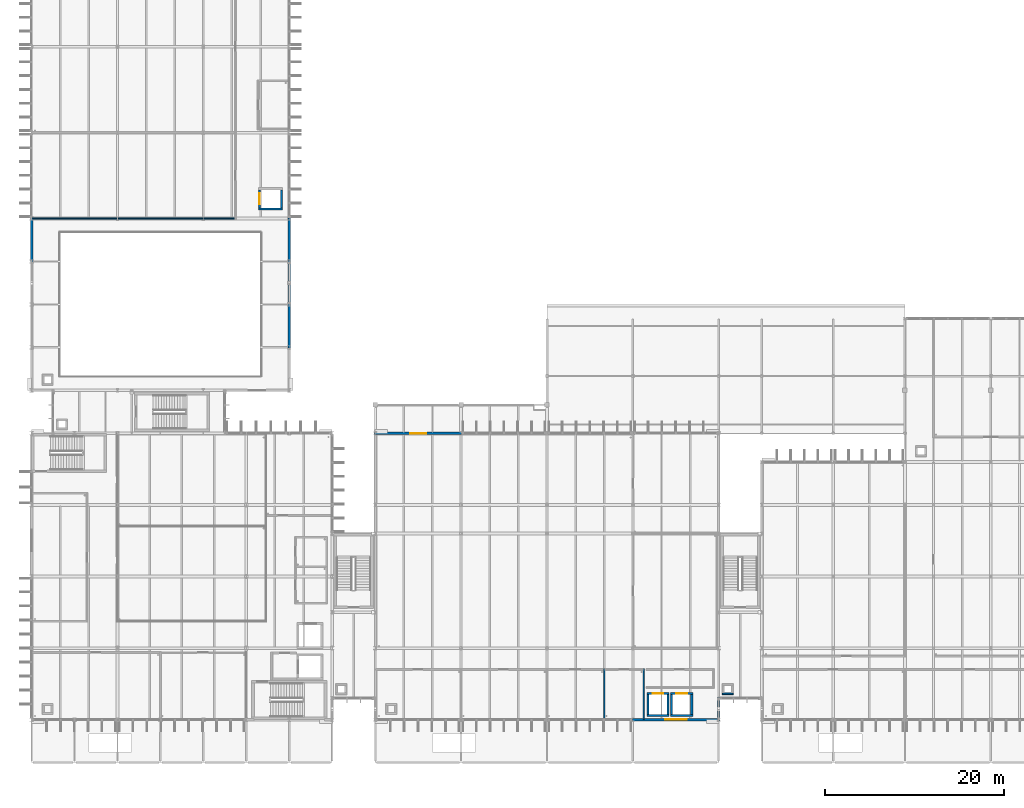
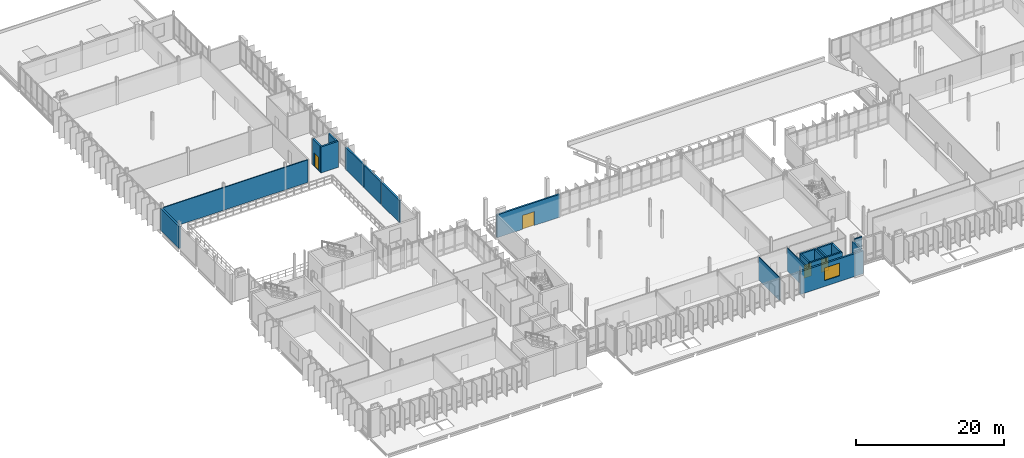
# One storey, part 62 of 107: 22 walls, 4 doors, 1 window, 5 openings.
"""IFC4 building model written with IfcOpenShell, lengths in metres."""

from ifc_helpers import new_model, si_unit, direction, frame, frame_2d, origin, place, context, subcontext, project, spatial, rectangle, extrude, material, layer, layer_set, type_object, element, fill, save


model = new_model("IFC4")

# Units and contexts
model_context = context("Model", 3, precision=1e-05, world=origin(), true_north=direction((0.0, 1.0)))
body_context = subcontext(model_context, "Body", "Model", "MODEL_VIEW")
ifc_project = project(units=[si_unit("LENGTHUNIT", "METRE"), si_unit("AREAUNIT", "SQUARE_METRE"), si_unit("VOLUMEUNIT", "CUBIC_METRE"), si_unit("PLANEANGLEUNIT", "RADIAN"), si_unit("MASSUNIT", "GRAM", prefix="KILO")], contexts=[model_context])

# Site, building, storey
site_placement = place(None, origin())
site = spatial("IfcSite", under=ifc_project, at=site_placement, CompositionType="ELEMENT")
building_placement = place(site_placement, origin())
building = spatial("IfcBuilding", under=site, at=building_placement, Name="Dunescarp Central Library", CompositionType="ELEMENT")
storey_placement = place(building_placement, frame((0.0, 0.0, 5.10009765625)))
storey = spatial("IfcBuildingStorey", under=building, at=storey_placement, Name="L01", CompositionType="ELEMENT", Elevation=5.10009765625)

# Walls
ifc_material_1 = material(Name="Gypsum plasterboard acoustic partition")
ifc_layer_1 = layer(ifc_material_1, 0.14990234375)
ifc_layer_set_1 = layer_set([ifc_layer_1], Name="Gypsum plasterboard acoustic partition")
wall_type_1 = type_object("IfcWallType", Name="ARC-PT-AC150", PredefinedType="PARTITIONING", material=ifc_layer_set_1)
wall_1_placement = place(storey_placement, frame((0.0400390625, 60.800048828125, 0.0), z_axis=(0.0, 0.0, 1.0), x_axis=(1.0, 0.0, 0.0)))
element("IfcWall", 1, at=wall_1_placement, inside=storey, type_object=wall_type_1, Name="L01 partition PT-L01-0342", PredefinedType="PARTITIONING", context=body_context, shape_type="SweptSolid", body=[
    extrude(rectangle(XDim=22.68505859375, YDim=0.14990234375, at=frame_2d((11.342529296875, 0.0))), origin(), (0.0, 0.0, 1.0), 3.73193359375),
])
ifc_material_2 = material(Name="Autoclaved aerated concrete block", Category="concrete")
ifc_layer_2 = layer(ifc_material_2, 0.139892578125)
ifc_layer_set_2 = layer_set([ifc_layer_2], Name="Autoclaved aerated concrete block")
wall_type_2 = type_object("IfcWallType", Name="ARC-PT-WET140", PredefinedType="PARTITIONING", material=ifc_layer_set_2)
for number, where, z_axis, x_axis, name in (
    (2, (64.0, 4.840087890625, 0.0), (0.0, 0.0, 1.0), (0.0, 1.0, 0.0), "L01 partition PT-L01-0164"),
    (3, (68.39990234375, 4.840087890625, 0.0), (0.0, 0.0, 1.0), (0.0, 1.0, 0.0), "L01 partition PT-L01-0165"),
):
    element("IfcWall", number, at=place(storey_placement, frame(where, z_axis=z_axis, x_axis=x_axis)), inside=storey, type_object=wall_type_2, Name=name, PredefinedType="PARTITIONING", context=body_context, shape_type="SweptSolid", body=[
        extrude(rectangle(XDim=5.6298828125, YDim=0.139892578125, at=frame_2d((2.81494140625, 0.0))), origin(), (0.0, 0.0, 1.0), 3.764892578125),
    ])

# Wall, opening, door
ifc_material_3 = material(Name="Glass-fibre reinforced concrete GRC", Category="concrete")
ifc_layer_3 = layer(ifc_material_3, 0.260009765625)
ifc_layer_set_3 = layer_set([ifc_layer_3], Name="Glass-fibre reinforced concrete GRC")
wall_type_3 = type_object("IfcWallType", Name="ARC-WL-GRC260", PredefinedType="SOLIDWALL", material=ifc_layer_set_3)
wall_2_placement = place(storey_placement, frame((38.31494140625, 36.800048828125, 0.0), z_axis=(0.0, 0.0, 1.0), x_axis=(1.0, 0.0, 0.0)))
wall_2 = element("IfcWall", 4, at=wall_2_placement, inside=storey, type_object=wall_type_3, Name="L01 external wall EW-V2-038", PredefinedType="SOLIDWALL", context=body_context, shape_type="SweptSolid", body=[
    extrude(rectangle(XDim=9.77001953125, YDim=0.260009765625, at=frame_2d((4.885009765625, 0.0))), origin(), (0.0, 0.0, 1.0), 3.764892578125),
])
opening_1_placement = place(wall_2_placement, frame((3.985107421875, 0.0, 0.0)))
opening_1 = element("IfcOpeningElement", 5, at=opening_1_placement, cuts=wall_2, Name="Opening TD-L01-V2N", PredefinedType="OPENING", context=body_context, shape_type="SweptSolid", body=[
    extrude(rectangle(XDim=1.800048828125, YDim=2.300048828125, at=frame_2d((0.89990234375, 1.14990234375))), frame((0.0, 0.14013671875, 0.0), z_axis=(0.0, -1.0, 0.0), x_axis=(1.0, 0.0, 0.0)), (0.0, 0.0, 1.0), 0.280029296875),
])
ifc_material_4 = material(Name="Marine-grade anodised aluminium 6063-T6", Category="aluminium")
door_type_1 = type_object("IfcDoorType", Name="ARC-DR-TER1800", OperationType="NOTDEFINED", PredefinedType="DOOR", material=ifc_material_4)
door_1_placement = place(opening_1_placement, origin())
door_1 = element("IfcDoor", 6, at=door_1_placement, inside=storey, type_object=door_type_1, Name="L01 external door TD-L01-V2N", OperationType="SINGLE_SWING_LEFT", OverallHeight=2.300048828125, OverallWidth=1.800048828125, PredefinedType="DOOR", context=body_context, shape_type="SweptSolid", body=[
    extrude(rectangle(XDim=1.800048828125, YDim=2.300048828125, at=frame_2d((0.89990234375, 1.14990234375))), frame((0.0, 0.02490234375, 0.0), z_axis=(0.0, -1.0, 0.0), x_axis=(1.0, 0.0, 0.0)), (0.0, 0.0, 1.0), 0.050048828125),
])
fill(opening_1, door_1)

# Wall
wall_3_placement = place(storey_placement, frame((76.800048828125, 7.284912109375, 0.0), z_axis=(0.0, 0.0, 1.0), x_axis=(0.0, -1.0, 0.0)))
element("IfcWall", 7, at=wall_3_placement, inside=storey, type_object=wall_type_3, Name="L01 external wall EW-V2-041", PredefinedType="SOLIDWALL", context=body_context, shape_type="SweptSolid", body=[
    extrude(rectangle(XDim=2.56982421875, YDim=0.260009765625, at=frame_2d((1.284912109375, 0.0))), origin(), (0.0, 0.0, 1.0), 3.764892578125),
])

# Wall, opening, window
ifc_layer_4 = layer(ifc_material_3, 0.280029296875)
ifc_layer_set_4 = layer_set([ifc_layer_4], Name="Glass-fibre reinforced concrete GRC")
wall_type_4 = type_object("IfcWallType", Name="ARC-WL-GRC280", PredefinedType="SOLIDWALL", material=ifc_layer_set_4)
wall_4_placement = place(storey_placement, frame((76.885009765625, 4.800048828125, 0.0), z_axis=(0.0, 0.0, 1.0), x_axis=(-1.0, 0.0, 0.0)))
wall_4 = element("IfcWall", 8, at=wall_4_placement, inside=storey, type_object=wall_type_4, Name="L01 external wall EW-V2-037", PredefinedType="SOLIDWALL", context=body_context, shape_type="SweptSolid", body=[
    extrude(rectangle(XDim=9.77001953125, YDim=0.280029296875, at=frame_2d((4.885009765625, 0.0))), origin(), (0.0, 0.0, 1.0), 3.764892578125),
])
opening_2_placement = place(wall_4_placement, frame((3.68505859375, 0.0, 0.949951171875)))
opening_2 = element("IfcOpeningElement", 9, at=opening_2_placement, cuts=wall_4, Name="Opening WN-009", PredefinedType="OPENING", context=body_context, shape_type="SweptSolid", body=[
    extrude(rectangle(XDim=2.39990234375, YDim=2.10009765625, at=frame_2d((1.199951171875, 1.050048828125))), frame((0.0, 0.14990234375, 0.0), z_axis=(0.0, -1.0, 0.0), x_axis=(1.0, 0.0, 0.0)), (0.0, 0.0, 1.0), 0.300048828125),
])
ifc_material_5 = material(Name="Solar-control laminated double glazing", Category="glass")
window_type = type_object("IfcWindowType", Name="ARC-WN-2400X2100", PartitioningType="SINGLE_PANEL", PredefinedType="WINDOW", material=ifc_material_5)
window_placement = place(opening_2_placement, origin())
window = element("IfcWindow", 10, at=window_placement, inside=storey, type_object=window_type, Name="L01 window WN-009", OverallHeight=2.10009765625, OverallWidth=2.39990234375, PartitioningType="SINGLE_PANEL", PredefinedType="WINDOW", context=body_context, shape_type="SweptSolid", body=[
    extrude(rectangle(XDim=2.39990234375, YDim=2.10009765625, at=frame_2d((1.199951171875, 1.050048828125))), frame((0.0, 0.030029296875, 0.0), z_axis=(0.0, -1.0, 0.0), x_axis=(1.0, 0.0, 0.0)), (0.0, 0.0, 1.0), 0.06005859375),
])
fill(opening_2, window)

# Walls
for number, where, z_axis, x_axis, name in (
    (11, (28.800048828125, 51.284912109375, 0.0), (0.0, 0.0, 1.0), (0.0, -1.0, 0.0), "L01 external wall EW-V4-120"),
    (12, (28.800048828125, 56.0849609375, 0.0), (0.0, 0.0, 1.0), (0.0, -1.0, 0.0), "L01 external wall EW-V4-122"),
    (13, (0.0, 55.9150390625, 0.0), (0.0, 0.0, 1.0), (0.0, 1.0, 0.0), "L01 external wall EW-V4-123"),
    (14, (28.800048828125, 60.885009765625, 0.0), (0.0, 0.0, 1.0), (0.0, -1.0, 0.0), "L01 external wall EW-V4-124"),
):
    element("IfcWall", number, at=place(storey_placement, frame(where, z_axis=z_axis, x_axis=x_axis)), inside=storey, type_object=wall_type_4, Name=name, PredefinedType="SOLIDWALL", context=body_context, shape_type="SweptSolid", body=[
        extrude(rectangle(XDim=4.969970703125, YDim=0.280029296875, at=frame_2d((2.48486328125, 0.0))), origin(), (0.0, 0.0, 1.0), 3.664794921875),
    ])
ifc_material_6 = material(Name="Concrete C35/45", Category="concrete")
ifc_layer_5 = layer(ifc_material_6, 0.199951171875)
ifc_layer_set_5 = layer_set([ifc_layer_5], Name="Concrete C35/45")
wall_type_5 = type_object("IfcWallType", Name="ARC-WL-RISER200", PredefinedType="PARTITIONING", material=ifc_layer_set_5)
wall_5_placement = place(storey_placement, frame((78.39990234375, 7.699951171875, 0.0), z_axis=(0.0, 0.0, 1.0), x_axis=(-1.0, 0.0, 0.0)))
element("IfcWall", 15, at=wall_5_placement, inside=storey, type_object=wall_type_5, Name="L01 GL2 duct shaft wall S", PredefinedType="PARTITIONING", context=body_context, shape_type="SweptSolid", body=[
    extrude(rectangle(XDim=1.199951171875, YDim=0.199951171875, at=frame_2d((0.60009765625, 0.0))), origin(), (0.0, 0.0, 1.0), 3.789794921875),
])
ifc_material_7 = material(Name="Concrete C40/50", Category="concrete")
ifc_layer_6 = layer(ifc_material_7, 0.25)
ifc_layer_set_6 = layer_set([ifc_layer_6], Name="Concrete C40/50")
wall_type_6 = type_object("IfcWallType", Name="STR-WL-CORE250", PredefinedType="SHEAR", material=ifc_layer_set_6)
wall_6_placement = place(storey_placement, frame((71.25, 5.27490234375, 0.0), z_axis=(0.0, 0.0, 1.0), x_axis=(-1.0, 0.0, 0.0)))
element("IfcWall", 16, at=wall_6_placement, inside=storey, type_object=wall_type_6, Name="L01 PL-1 lift shaft wall S", PredefinedType="SHEAR", context=body_context, shape_type="SweptSolid", body=[
    extrude(rectangle(XDim=2.5, YDim=0.25, at=frame_2d((1.25, 0.0))), origin(), (0.0, 0.0, 1.0), 4.289794921875),
])

# Wall, opening, door
wall_7_placement = place(storey_placement, frame((68.75, 7.72509765625, 0.0), z_axis=(0.0, 0.0, 1.0), x_axis=(1.0, 0.0, 0.0)))
wall_7 = element("IfcWall", 17, at=wall_7_placement, inside=storey, type_object=wall_type_6, Name="L01 PL-1 lift shaft wall N", PredefinedType="SHEAR", context=body_context, shape_type="SweptSolid", body=[
    extrude(rectangle(XDim=2.5, YDim=0.25, at=frame_2d((1.25, 0.0))), origin(), (0.0, 0.0, 1.0), 4.289794921875),
])
opening_3_placement = place(wall_7_placement, frame((0.64990234375, 0.0, 0.0)))
opening_3 = element("IfcOpeningElement", 18, at=opening_3_placement, cuts=wall_7, Name="Opening LD-PL-1-L01", PredefinedType="OPENING", context=body_context, shape_type="SweptSolid", body=[
    extrude(rectangle(XDim=1.199951171875, YDim=2.199951171875, at=frame_2d((0.60009765625, 1.10009765625))), frame((0.0, 0.135009765625, 0.0), z_axis=(0.0, -1.0, 0.0), x_axis=(1.0, 0.0, 0.0)), (0.0, 0.0, 1.0), 0.27001953125),
])
ifc_material_8 = material(Name="Stainless steel Grade 316L", Category="steel")
door_type_2 = type_object("IfcDoorType", Name="ARC-DR-LD1200", OperationType="DOUBLE_DOOR_SLIDING", PredefinedType="DOOR", material=ifc_material_8)
door_2_placement = place(opening_3_placement, origin())
door_2 = element("IfcDoor", 19, at=door_2_placement, inside=storey, type_object=door_type_2, Name="L01 PL-1 lift landing door", OperationType="DOUBLE_DOOR_SLIDING", OverallHeight=2.199951171875, OverallWidth=1.199951171875, PredefinedType="DOOR", context=body_context, shape_type="SweptSolid", body=[
    extrude(rectangle(XDim=1.199951171875, YDim=2.199951171875, at=frame_2d((0.60009765625, 1.10009765625))), frame((0.0, 0.02490234375, 0.0), z_axis=(0.0, -1.0, 0.0), x_axis=(1.0, 0.0, 0.0)), (0.0, 0.0, 1.0), 0.050048828125),
])
fill(opening_3, door_2)

# Walls
for number, where, z_axis, x_axis, name in (
    (20, (68.875, 5.39990234375, 0.0), (0.0, 0.0, 1.0), (0.0, 1.0, 0.0), "L01 PL-1 lift shaft wall W"),
    (21, (71.125, 7.60009765625, 0.0), (0.0, 0.0, 1.0), (0.0, -1.0, 0.0), "L01 PL-1 lift shaft wall E"),
):
    element("IfcWall", number, at=place(storey_placement, frame(where, z_axis=z_axis, x_axis=x_axis)), inside=storey, type_object=wall_type_6, Name=name, PredefinedType="SHEAR", context=body_context, shape_type="SweptSolid", body=[
        extrude(rectangle(XDim=2.2001953125, YDim=0.25, at=frame_2d((1.10009765625, 0.0))), origin(), (0.0, 0.0, 1.0), 4.289794921875),
    ])
wall_8_placement = place(storey_placement, frame((73.89990234375, 5.27490234375, 0.0), z_axis=(0.0, 0.0, 1.0), x_axis=(-1.0, 0.0, 0.0)))
element("IfcWall", 22, at=wall_8_placement, inside=storey, type_object=wall_type_6, Name="L01 PL-2 lift shaft wall S", PredefinedType="SHEAR", context=body_context, shape_type="SweptSolid", body=[
    extrude(rectangle(XDim=2.5, YDim=0.25, at=frame_2d((1.25, 0.0))), origin(), (0.0, 0.0, 1.0), 4.289794921875),
])

# Wall, opening, door
wall_9_placement = place(storey_placement, frame((71.39990234375, 7.72509765625, 0.0), z_axis=(0.0, 0.0, 1.0), x_axis=(1.0, 0.0, 0.0)))
wall_9 = element("IfcWall", 23, at=wall_9_placement, inside=storey, type_object=wall_type_6, Name="L01 PL-2 lift shaft wall N", PredefinedType="SHEAR", context=body_context, shape_type="SweptSolid", body=[
    extrude(rectangle(XDim=2.5, YDim=0.25, at=frame_2d((1.25, 0.0))), origin(), (0.0, 0.0, 1.0), 4.289794921875),
])
opening_4_placement = place(wall_9_placement, frame((0.64990234375, 0.0, 0.0)))
opening_4 = element("IfcOpeningElement", 24, at=opening_4_placement, cuts=wall_9, Name="Opening LD-PL-2-L01", PredefinedType="OPENING", context=body_context, shape_type="SweptSolid", body=[
    extrude(rectangle(XDim=1.199951171875, YDim=2.199951171875, at=frame_2d((0.60009765625, 1.10009765625))), frame((0.0, 0.135009765625, 0.0), z_axis=(0.0, -1.0, 0.0), x_axis=(1.0, 0.0, 0.0)), (0.0, 0.0, 1.0), 0.27001953125),
])
door_3_placement = place(opening_4_placement, origin())
door_3 = element("IfcDoor", 25, at=door_3_placement, inside=storey, type_object=door_type_2, Name="L01 PL-2 lift landing door", OperationType="DOUBLE_DOOR_SLIDING", OverallHeight=2.199951171875, OverallWidth=1.199951171875, PredefinedType="DOOR", context=body_context, shape_type="SweptSolid", body=[
    extrude(rectangle(XDim=1.199951171875, YDim=2.199951171875, at=frame_2d((0.60009765625, 1.10009765625))), frame((0.0, 0.02490234375, 0.0), z_axis=(0.0, -1.0, 0.0), x_axis=(1.0, 0.0, 0.0)), (0.0, 0.0, 1.0), 0.050048828125),
])
fill(opening_4, door_3)

# Walls
for number, where, z_axis, x_axis, name in (
    (26, (71.52490234375, 5.39990234375, 0.0), (0.0, 0.0, 1.0), (0.0, 1.0, 0.0), "L01 PL-2 lift shaft wall W"),
    (27, (73.77490234375, 7.60009765625, 0.0), (0.0, 0.0, 1.0), (0.0, -1.0, 0.0), "L01 PL-2 lift shaft wall E"),
):
    element("IfcWall", number, at=place(storey_placement, frame(where, z_axis=z_axis, x_axis=x_axis)), inside=storey, type_object=wall_type_6, Name=name, PredefinedType="SHEAR", context=body_context, shape_type="SweptSolid", body=[
        extrude(rectangle(XDim=2.2001953125, YDim=0.25, at=frame_2d((1.10009765625, 0.0))), origin(), (0.0, 0.0, 1.0), 4.289794921875),
    ])
wall_10_placement = place(storey_placement, frame((28.050048828125, 61.875, 0.0), z_axis=(0.0, 0.0, 1.0), x_axis=(-1.0, 0.0, 0.0)))
element("IfcWall", 28, at=wall_10_placement, inside=storey, type_object=wall_type_6, Name="L01 PL-4 lift shaft wall S", PredefinedType="SHEAR", context=body_context, shape_type="SweptSolid", body=[
    extrude(rectangle(XDim=2.699951171875, YDim=0.25, at=frame_2d((1.35009765625, 0.0))), origin(), (0.0, 0.0, 1.0), 4.289794921875),
])

# Wall, opening, door
wall_11_placement = place(storey_placement, frame((25.47509765625, 62.0, 0.0), z_axis=(0.0, 0.0, 1.0), x_axis=(0.0, 1.0, 0.0)))
wall_11 = element("IfcWall", 29, at=wall_11_placement, inside=storey, type_object=wall_type_6, Name="L01 PL-4 lift shaft wall W", PredefinedType="SHEAR", context=body_context, shape_type="SweptSolid", body=[
    extrude(rectangle(XDim=2.0, YDim=0.25, at=frame_2d((1.0, 0.0))), origin(), (0.0, 0.0, 1.0), 4.289794921875),
])
opening_5_placement = place(wall_11_placement, frame((0.39990234375, 0.0, 0.0)))
opening_5 = element("IfcOpeningElement", 30, at=opening_5_placement, cuts=wall_11, Name="Opening LD-PL-4-L01", PredefinedType="OPENING", context=body_context, shape_type="SweptSolid", body=[
    extrude(rectangle(XDim=1.199951171875, YDim=2.199951171875, at=frame_2d((0.60009765625, 1.10009765625))), frame((0.0, 0.135009765625, 0.0), z_axis=(0.0, -1.0, 0.0), x_axis=(1.0, 0.0, 0.0)), (0.0, 0.0, 1.0), 0.27001953125),
])
door_4_placement = place(opening_5_placement, origin())
door_4 = element("IfcDoor", 31, at=door_4_placement, inside=storey, type_object=door_type_2, Name="L01 PL-4 lift landing door", OperationType="DOUBLE_DOOR_SLIDING", OverallHeight=2.199951171875, OverallWidth=1.199951171875, PredefinedType="DOOR", context=body_context, shape_type="SweptSolid", body=[
    extrude(rectangle(XDim=1.199951171875, YDim=2.199951171875, at=frame_2d((0.60009765625, 1.10009765625))), frame((0.0, 0.02490234375, 0.0), z_axis=(0.0, -1.0, 0.0), x_axis=(1.0, 0.0, 0.0)), (0.0, 0.0, 1.0), 0.050048828125),
])
fill(opening_5, door_4)

# Wall
wall_12_placement = place(storey_placement, frame((27.925048828125, 64.0, 0.0), z_axis=(0.0, 0.0, 1.0), x_axis=(0.0, -1.0, 0.0)))
element("IfcWall", 32, at=wall_12_placement, inside=storey, type_object=wall_type_6, Name="L01 PL-4 lift shaft wall E", PredefinedType="SHEAR", context=body_context, shape_type="SweptSolid", body=[
    extrude(rectangle(XDim=2.0, YDim=0.25, at=frame_2d((1.0, 0.0))), origin(), (0.0, 0.0, 1.0), 4.289794921875),
])

save(model, "model.ifc")
